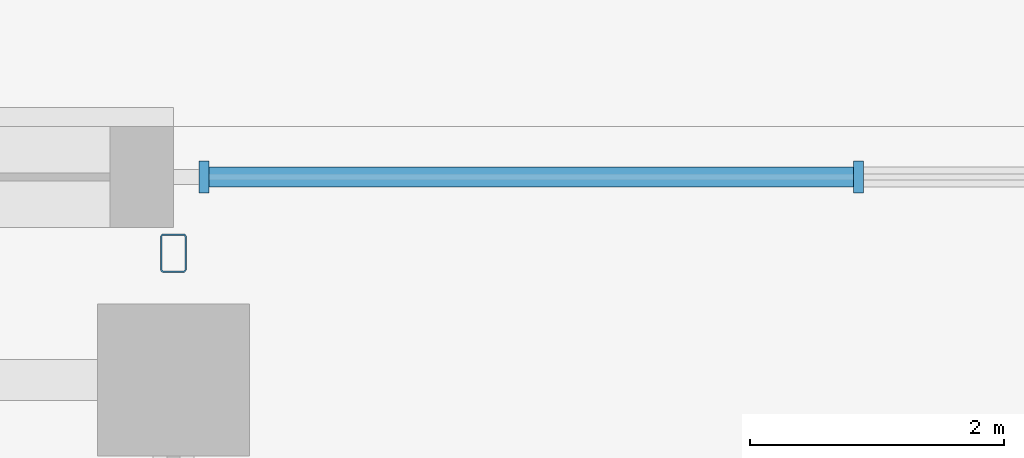
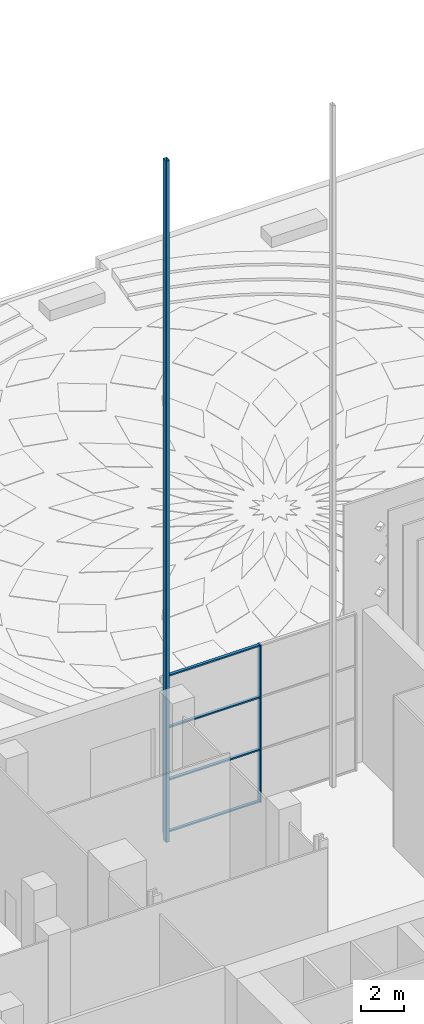
# One storey, part 2 of 23: 7 members, 1 element without a shape of its own.
"""IFC4 building model written with IfcOpenShell, lengths in metres."""

from ifc_helpers import new_model, si_unit, direction, frame, origin, origin_2d, place, context, subcontext, project, spatial, rectangle, hollow_rectangle, extrude, material, material_profile, profile_set, type_object, element, aggregate, save


model = new_model("IFC4")

# Units and contexts
model_context = context("Model", 3, precision=1e-05, world=origin(), true_north=direction((0.0, 1.0)))
body_context = subcontext(model_context, "Body", "Model", "MODEL_VIEW")
ifc_project = project(units=[si_unit("LENGTHUNIT", "METRE"), si_unit("AREAUNIT", "SQUARE_METRE"), si_unit("VOLUMEUNIT", "CUBIC_METRE"), si_unit("PLANEANGLEUNIT", "RADIAN"), si_unit("MASSUNIT", "GRAM", prefix="KILO")], contexts=[model_context])

# Site, building, storey
site_placement = place(None, origin())
site = spatial("IfcSite", under=ifc_project, at=site_placement, CompositionType="ELEMENT")
building_placement = place(site_placement, origin())
building = spatial("IfcBuilding", under=site, at=building_placement, Name="Zellij Exchange Tower", CompositionType="ELEMENT")
storey_placement = place(building_placement, origin())
storey = spatial("IfcBuildingStorey", under=building, at=storey_placement, Name="L00", CompositionType="ELEMENT", Elevation=0.0)

# Curtain wall, members
ifc_material_1 = material(Name="Aluminium frame, clear insulating glass", Category="aluminium")
curtain_wall_type = type_object("IfcCurtainWallType", Name="ENV-CW3 Exchange-hall glazing", PredefinedType="NOTDEFINED", material=ifc_material_1)
curtain_wall_placement = place(storey_placement, origin())
curtain_wall = element("IfcCurtainWall", 1, at=curtain_wall_placement, inside=storey, type_object=curtain_wall_type, Name="cw.L00.14c", PredefinedType="NOTDEFINED")
ifc_material_2 = material(Name="Aluminium", Category="aluminium")
ifc_material_profile_1 = material_profile(ifc_material_2, rectangle(XDim=0.080078125, YDim=0.25, at=origin_2d()), Name="AL 80x250")
ifc_profile_set_1 = profile_set([ifc_material_profile_1], Name="Aluminium")
member_type_1 = type_object("IfcMemberType", Name="ENV-CW3M Mullion 80x250", PredefinedType="MULLION", material=ifc_profile_set_1)
member_1_placement = place(storey_placement, frame((-12.60009765625, 19.60009765625, 0.0), z_axis=(0.0, 0.0, 1.0), x_axis=(-1.0, 0.0, 0.0)))
member_1 = element("IfcMember", 2, at=member_1_placement, type_object=member_type_1, Name="CW3 mullion 2", PredefinedType="MULLION", context=body_context, shape_type="SweptSolid", body=[
    extrude(rectangle(XDim=0.080078125, YDim=0.25, at=origin_2d()), origin(), (0.0, 0.0, 1.0), 9.0),
])
member_2_placement = place(storey_placement, frame((-17.760009765625, 19.60009765625, 0.0), z_axis=(0.0, 0.0, 1.0), x_axis=(-1.0, 0.0, 0.0)))
member_2 = element("IfcMember", 3, at=member_2_placement, type_object=member_type_1, Name="CW3 mullion 3", PredefinedType="MULLION", context=body_context, shape_type="SweptSolid", body=[
    extrude(rectangle(XDim=0.080078125, YDim=0.25, at=origin_2d()), origin(), (0.0, 0.0, 1.0), 9.0),
])
ifc_material_profile_2 = material_profile(ifc_material_2, rectangle(XDim=0.159912109375, YDim=0.080078125, at=origin_2d()), Name="AL 160x80")
ifc_profile_set_2 = profile_set([ifc_material_profile_2], Name="Aluminium")
member_type_2 = type_object("IfcMemberType", Name="ENV-CW3T Transom 160x80", PredefinedType="USERDEFINED", material=ifc_profile_set_2)
member_3_placement = place(storey_placement, frame((-12.639892578125, 19.60009765625, 0.0400390625), z_axis=(-1.0, 0.0, 0.0), x_axis=(0.0, -1.0, 0.0)))
member_3 = element("IfcMember", 4, at=member_3_placement, type_object=member_type_2, Name="CW3 transom 2.1", ObjectType="TRANSOM", PredefinedType="USERDEFINED", context=body_context, shape_type="SweptSolid", body=[
    extrude(rectangle(XDim=0.159912109375, YDim=0.080078125, at=origin_2d()), origin(), (0.0, 0.0, 1.0), 5.080078125),
])
member_4_placement = place(storey_placement, frame((-12.639892578125, 19.60009765625, 3.0), z_axis=(-1.0, 0.0, 0.0), x_axis=(0.0, -1.0, 0.0)))
member_4 = element("IfcMember", 5, at=member_4_placement, type_object=member_type_2, Name="CW3 transom 2.2", ObjectType="TRANSOM", PredefinedType="USERDEFINED", context=body_context, shape_type="SweptSolid", body=[
    extrude(rectangle(XDim=0.159912109375, YDim=0.080078125, at=origin_2d()), origin(), (0.0, 0.0, 1.0), 5.080078125),
])
member_5_placement = place(storey_placement, frame((-12.639892578125, 19.60009765625, 6.0), z_axis=(-1.0, 0.0, 0.0), x_axis=(0.0, -1.0, 0.0)))
member_5 = element("IfcMember", 6, at=member_5_placement, type_object=member_type_2, Name="CW3 transom 2.3", ObjectType="TRANSOM", PredefinedType="USERDEFINED", context=body_context, shape_type="SweptSolid", body=[
    extrude(rectangle(XDim=0.159912109375, YDim=0.080078125, at=origin_2d()), origin(), (0.0, 0.0, 1.0), 5.080078125),
])
member_6_placement = place(storey_placement, frame((-12.639892578125, 19.60009765625, 8.9599609375), z_axis=(-1.0, 0.0, 0.0), x_axis=(0.0, -1.0, 0.0)))
member_6 = element("IfcMember", 7, at=member_6_placement, type_object=member_type_2, Name="CW3 transom 2.4", ObjectType="TRANSOM", PredefinedType="USERDEFINED", context=body_context, shape_type="SweptSolid", body=[
    extrude(rectangle(XDim=0.159912109375, YDim=0.080078125, at=origin_2d()), origin(), (0.0, 0.0, 1.0), 5.080078125),
])
aggregate(curtain_wall, [member_1, member_2, member_3, member_4, member_5, member_6])

# Member
ifc_material_3 = material(Name="Structural steel ASTM A500 Gr C", Category="steel")
ifc_material_profile_3 = material_profile(ifc_material_3, hollow_rectangle(XDim=0.203125, YDim=0.3046875, WallThickness=0.01171875, InnerFilletRadius=0.01171875, OuterFilletRadius=0.023681640625, at=origin_2d()), Name="STR-WIND POST HSS12x8x1/2")
ifc_profile_set_3 = profile_set([ifc_material_profile_3], Name="Structural steel ASTM A500 Gr C")
member_type_3 = type_object("IfcMemberType", Name="STR-WIND POST HSS12x8x1/2", PredefinedType="POST", material=ifc_profile_set_3)
member_7_placement = place(storey_placement, frame((-18.0, 19.0, 0.0), z_axis=(0.0, 0.0, 1.0), x_axis=(1.0, 0.0, 0.0)))
element("IfcMember", 8, at=member_7_placement, inside=storey, type_object=member_type_3, Name="WP", PredefinedType="POST", context=body_context, shape_type="SweptSolid", body=[
    extrude(hollow_rectangle(XDim=0.203125, YDim=0.3046875, WallThickness=0.01171875, InnerFilletRadius=0.01171875, OuterFilletRadius=0.023681640625, at=origin_2d()), origin(), (0.0, 0.0, 1.0), 39.0),
])

save(model, "model.ifc")
